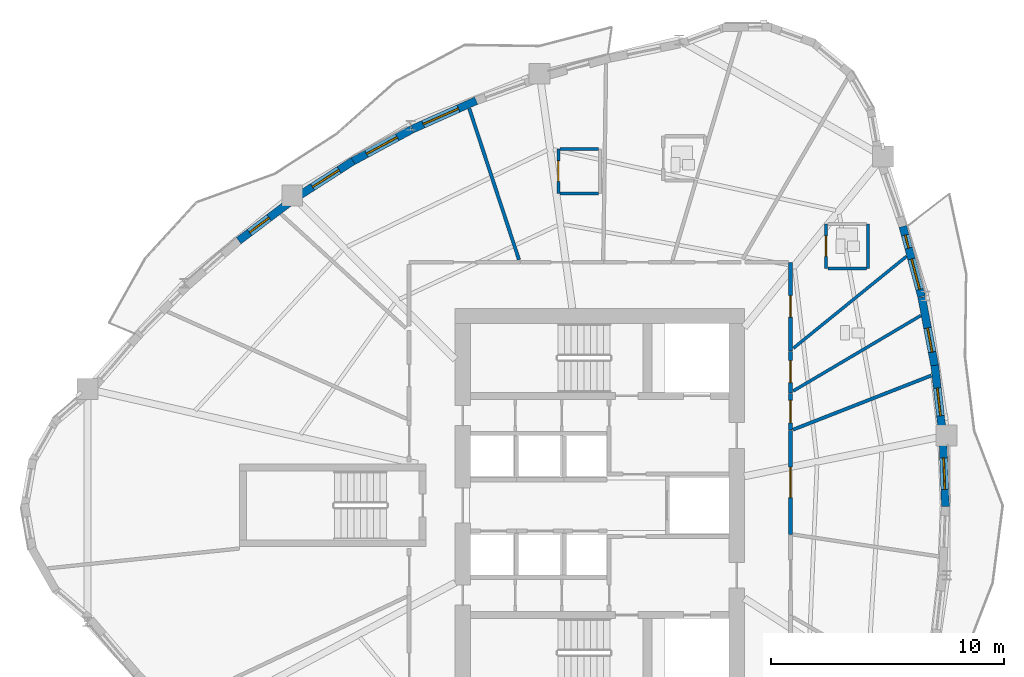
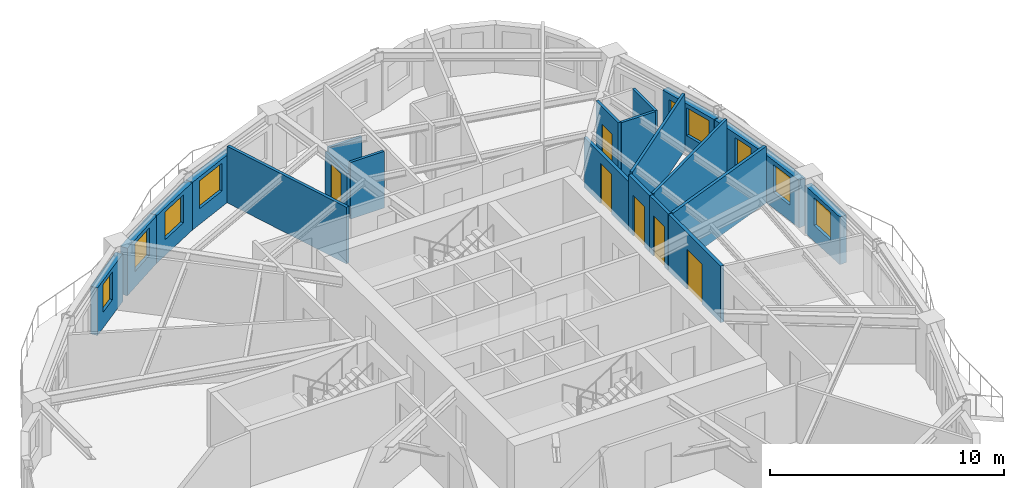
# One storey, part 7 of 12: 22 walls, 9 windows, 6 doors, 15 openings.
"""IFC4 building model written with IfcOpenShell, lengths in metres."""

from ifc_helpers import new_model, si_unit, direction, frame, frame_2d, origin, place, context, subcontext, project, spatial, rectangle, extrude, source, transform, mapped, material, layer, layer_set, type_object, element, fill, save


model = new_model("IFC4")

# Units and contexts
model_context = context("Model", 3, precision=1e-05, world=origin(), true_north=direction((0.0, 1.0)))
body_context = subcontext(model_context, "Body", "Model", "MODEL_VIEW")
ifc_project = project(units=[si_unit("LENGTHUNIT", "METRE"), si_unit("AREAUNIT", "SQUARE_METRE"), si_unit("VOLUMEUNIT", "CUBIC_METRE"), si_unit("PLANEANGLEUNIT", "RADIAN"), si_unit("MASSUNIT", "GRAM", prefix="KILO")], contexts=[model_context])

# Site, building, storey
site_placement = place(None, origin())
site = spatial("IfcSite", under=ifc_project, at=site_placement, CompositionType="ELEMENT")
building_placement = place(site_placement, origin())
building = spatial("IfcBuilding", under=site, at=building_placement, Name="Qafzar Sky-Pleat Residences", CompositionType="ELEMENT")
storey_placement = place(building_placement, frame((0.0, 0.0, 92.800048828125)))
storey = spatial("IfcBuildingStorey", under=building, at=storey_placement, Name="L27", CompositionType="ELEMENT", Elevation=92.800048828125)

# Wall, opening, door
ifc_material_1 = material(Name="Acoustic gypsum plasterboard partition", Category="gypsum")
ifc_layer_1 = layer(ifc_material_1, 0.159912109375)
ifc_layer_set_1 = layer_set([ifc_layer_1], Name="Acoustic gypsum plasterboard partition")
wall_type_1 = type_object("IfcWallType", Name="PART-COR-160", PredefinedType="PARTITIONING", material=ifc_layer_set_1)
wall_1_placement = place(storey_placement, frame((38.530029296875, 29.219970703125, 0.0), z_axis=(0.0, 0.0, 1.0), x_axis=(0.0, -1.0, 0.0)))
wall_1 = element("IfcWall", 1, at=wall_1_placement, inside=storey, type_object=wall_type_1, Name="L27 Partition Wall PART-L27-PW-006", PredefinedType="PARTITIONING", context=body_context, shape_type="SweptSolid", body=[
    extrude(rectangle(XDim=4.467041015625, YDim=0.159912109375, at=frame_2d((2.2333984375, 0.0))), origin(), (0.0, 0.0, 1.0), 2.949951171875),
])
opening_1_placement = place(wall_1_placement, frame((1.583984375, 0.0, 0.0)))
opening_1 = element("IfcOpeningElement", 2, at=opening_1_placement, cuts=wall_1, Name="Opening ID-05", PredefinedType="OPENING", context=body_context, shape_type="SweptSolid", body=[
    extrude(rectangle(XDim=1.300048828125, YDim=2.10009765625, at=frame_2d((0.64990234375, 1.050048828125))), frame((0.0, 0.08984375, 0.0), z_axis=(0.0, -1.0, 0.0), x_axis=(1.0, 0.0, 0.0)), (0.0, 0.0, 1.0), 0.179931640625),
])
ifc_material_2 = material(Name="Timber-faced fire door", Category="wood")
door_type_1 = type_object("IfcDoorType", Name="DR-LNG-1300", OperationType="DOUBLE_DOOR_SINGLE_SWING", PredefinedType="DOOR", material=ifc_material_2)
shared_shape_1 = source(origin(), body_context, "Body", "SweptSolid", [
    extrude(rectangle(XDim=1.300048828125, YDim=2.10009765625, at=frame_2d((0.64990234375, 1.050048828125))), frame((0.0, 0.02490234375, 0.0), z_axis=(0.0, -1.0, 0.0), x_axis=(1.0, 0.0, 0.0)), (0.0, 0.0, 1.0), 0.050048828125),
])
door_1_placement = place(opening_1_placement, origin())
door_1 = element("IfcDoor", 3, at=door_1_placement, inside=storey, type_object=door_type_1, Name="L27 Co-Living Lounge Door", OperationType="DOUBLE_DOOR_SINGLE_SWING", OverallHeight=2.10009765625, OverallWidth=1.300048828125, PredefinedType="DOOR", context=body_context, shape_type="MappedRepresentation", body=[
    mapped(shared_shape_1, transform((0.0, 0.0, 0.0), x_axis=(1.0, 0.0, 0.0), y_axis=(0.0, 1.0, 0.0), z_axis=(0.0, 0.0, 1.0), scale=1.0)),
])
fill(opening_1, door_1)

wall_2_placement = place(storey_placement, frame((38.530029296875, 36.429931640625, 0.0), z_axis=(0.0, 0.0, 1.0), x_axis=(0.0, -1.0, 0.0)))
wall_2 = element("IfcWall", 4, at=wall_2_placement, inside=storey, type_object=wall_type_1, Name="L27 Partition Wall PART-L27-PW-009", PredefinedType="PARTITIONING", context=body_context, shape_type="SweptSolid", body=[
    extrude(rectangle(XDim=3.809814453125, YDim=0.159912109375, at=frame_2d((1.90478515625, 0.0))), origin(), (0.0, 0.0, 1.0), 2.587890625),
])
opening_2_placement = place(wall_2_placement, frame((1.435546875, 0.0, 0.0)))
opening_2 = element("IfcOpeningElement", 5, at=opening_2_placement, cuts=wall_2, Name="Opening ID-04", PredefinedType="OPENING", context=body_context, shape_type="SweptSolid", body=[
    extrude(rectangle(XDim=0.919921875, YDim=2.10009765625, at=frame_2d((0.4599609375, 1.050048828125))), frame((0.0, 0.08984375, 0.0), z_axis=(0.0, -1.0, 0.0), x_axis=(1.0, 0.0, 0.0)), (0.0, 0.0, 1.0), 0.179931640625),
])
door_type_2 = type_object("IfcDoorType", Name="DR-BED-920", OperationType="NOTDEFINED", PredefinedType="DOOR", material=ifc_material_2)
shared_shape_2 = source(origin(), body_context, "Body", "SweptSolid", [
    extrude(rectangle(XDim=0.919921875, YDim=2.10009765625, at=frame_2d((0.4599609375, 1.050048828125))), frame((0.0, 0.02490234375, 0.0), z_axis=(0.0, -1.0, 0.0), x_axis=(1.0, 0.0, 0.0)), (0.0, 0.0, 1.0), 0.050048828125),
])
door_2_placement = place(opening_2_placement, origin())
door_2 = element("IfcDoor", 6, at=door_2_placement, inside=storey, type_object=door_type_2, Name="L27 Co-Living Bedroom 2 Door", OperationType="SINGLE_SWING_LEFT", OverallHeight=2.10009765625, OverallWidth=0.919921875, PredefinedType="DOOR", context=body_context, shape_type="MappedRepresentation", body=[
    mapped(shared_shape_2, transform((0.0, 0.0, 0.0), x_axis=(1.0, 0.0, 0.0), y_axis=(0.0, 1.0, 0.0), z_axis=(0.0, 0.0, 1.0), scale=1.0)),
])
fill(opening_2, door_2)

wall_3_placement = place(storey_placement, frame((38.530029296875, 32.60498046875, 0.0), z_axis=(0.0, 0.0, 1.0), x_axis=(0.0, -1.0, 0.0)))
wall_3 = element("IfcWall", 7, at=wall_3_placement, inside=storey, type_object=wall_type_1, Name="L27 Partition Wall PART-L27-PW-020", PredefinedType="PARTITIONING", context=body_context, shape_type="SweptSolid", body=[
    extrude(rectangle(XDim=1.785888671875, YDim=0.159912109375, at=frame_2d((0.89306640625, 0.0))), origin(), (0.0, 0.0, 1.0), 2.949951171875),
])
opening_3_placement = place(wall_3_placement, frame((0.392578125, 0.0, 0.0)))
opening_3 = element("IfcOpeningElement", 8, at=opening_3_placement, cuts=wall_3, Name="Opening ID-08", PredefinedType="OPENING", context=body_context, shape_type="SweptSolid", body=[
    extrude(rectangle(XDim=0.949951171875, YDim=2.10009765625, at=frame_2d((0.47509765625, 1.050048828125))), frame((0.0, 0.08984375, 0.0), z_axis=(0.0, -1.0, 0.0), x_axis=(1.0, 0.0, 0.0)), (0.0, 0.0, 1.0), 0.179931640625),
])
door_type_3 = type_object("IfcDoorType", Name="DR-AWC-950", OperationType="NOTDEFINED", PredefinedType="DOOR", material=ifc_material_2)
shared_shape_3 = source(origin(), body_context, "Body", "SweptSolid", [
    extrude(rectangle(XDim=0.949951171875, YDim=2.10009765625, at=frame_2d((0.47509765625, 1.050048828125))), frame((0.0, 0.02490234375, 0.0), z_axis=(0.0, -1.0, 0.0), x_axis=(1.0, 0.0, 0.0)), (0.0, 0.0, 1.0), 0.050048828125),
])
door_3_placement = place(opening_3_placement, origin())
door_3 = element("IfcDoor", 9, at=door_3_placement, inside=storey, type_object=door_type_3, Name="L27 Accessible Shared Washroom Door", OperationType="SINGLE_SWING_LEFT", OverallHeight=2.10009765625, OverallWidth=0.949951171875, PredefinedType="DOOR", context=body_context, shape_type="MappedRepresentation", body=[
    mapped(shared_shape_3, transform((0.0, 0.0, 0.0), x_axis=(1.0, 0.0, 0.0), y_axis=(0.0, 1.0, 0.0), z_axis=(0.0, 0.0, 1.0), scale=1.0)),
])
fill(opening_3, door_3)

wall_4_placement = place(storey_placement, frame((38.530029296875, 30.803955078125, 0.0), z_axis=(0.0, 0.0, 1.0), x_axis=(0.0, -1.0, 0.0)))
wall_4 = element("IfcWall", 10, at=wall_4_placement, inside=storey, type_object=wall_type_1, Name="L27 Partition Wall PART-L27-PW-021", PredefinedType="PARTITIONING", context=body_context, shape_type="SweptSolid", body=[
    extrude(rectangle(XDim=1.56884765625, YDim=0.159912109375, at=frame_2d((0.784423828125, 0.0))), origin(), (0.0, 0.0, 1.0), 2.949951171875),
])
opening_4_placement = place(wall_4_placement, frame((0.303955078125, 0.0, 0.0)))
opening_4 = element("IfcOpeningElement", 11, at=opening_4_placement, cuts=wall_4, Name="Opening ID-06", PredefinedType="OPENING", context=body_context, shape_type="SweptSolid", body=[
    extrude(rectangle(XDim=0.9599609375, YDim=2.10009765625, at=frame_2d((0.47998046875, 1.050048828125))), frame((0.0, 0.08984375, 0.0), z_axis=(0.0, -1.0, 0.0), x_axis=(1.0, 0.0, 0.0)), (0.0, 0.0, 1.0), 0.179931640625),
])
door_type_4 = type_object("IfcDoorType", Name="DR-STD-960", OperationType="NOTDEFINED", PredefinedType="DOOR", material=ifc_material_2)
shared_shape_4 = source(origin(), body_context, "Body", "SweptSolid", [
    extrude(rectangle(XDim=0.9599609375, YDim=2.10009765625, at=frame_2d((0.47998046875, 1.050048828125))), frame((0.0, 0.02490234375, 0.0), z_axis=(0.0, -1.0, 0.0), x_axis=(1.0, 0.0, 0.0)), (0.0, 0.0, 1.0), 0.050048828125),
])
door_4_placement = place(opening_4_placement, origin())
door_4 = element("IfcDoor", 12, at=door_4_placement, inside=storey, type_object=door_type_4, Name="L27 Scholar Study Room Door", OperationType="SINGLE_SWING_RIGHT", OverallHeight=2.10009765625, OverallWidth=0.9599609375, PredefinedType="DOOR", context=body_context, shape_type="MappedRepresentation", body=[
    mapped(shared_shape_4, transform((0.0, 0.0, 0.0), x_axis=(1.0, 0.0, 0.0), y_axis=(0.0, 1.0, 0.0), z_axis=(0.0, 0.0, 1.0), scale=1.0)),
])
fill(opening_4, door_4)

# Walls
ifc_layer_2 = layer(ifc_material_1, 0.14501953125)
ifc_layer_set_2 = layer_set([ifc_layer_2], Name="Acoustic gypsum plasterboard partition")
wall_type_2 = type_object("IfcWallType", Name="PART-UNIT-145", PredefinedType="PARTITIONING", material=ifc_layer_set_2)
wall_5_placement = place(storey_placement, frame((24.751953125, 43.027099609375, 0.0), z_axis=(0.0, 0.0, 1.0), x_axis=(0.312342290808, -0.949969627606, 0.0)))
element("IfcWall", 13, at=wall_5_placement, inside=storey, type_object=wall_type_2, Name="L27 Partition Wall PART-L27-PW-031", PredefinedType="PARTITIONING", context=body_context, shape_type="SweptSolid", body=[
    extrude(rectangle(XDim=6.828369140625, YDim=0.14501953125, at=frame_2d((3.4140625, 0.0))), origin(), (0.0, 0.0, 1.0), 2.949951171875),
])
wall_6_placement = place(storey_placement, frame((38.643798828125, 29.24853515625, 0.0), z_axis=(0.0, 0.0, 1.0), x_axis=(0.931159602012, 0.364611842349, 0.0)))
element("IfcWall", 14, at=wall_6_placement, inside=storey, type_object=wall_type_2, Name="L27 Partition Wall PART-L27-PW-032", PredefinedType="PARTITIONING", context=body_context, shape_type="SweptSolid", body=[
    extrude(rectangle(XDim=6.367919921875, YDim=0.14501953125, at=frame_2d((3.18408203125, 0.0))), origin(), (0.0, 0.0, 1.0), 2.949951171875),
])

# Wall, opening, door
ifc_material_3 = material(Name="Moisture-resistant gypsum partition", Category="gypsum")
ifc_layer_3 = layer(ifc_material_3, 0.1298828125)
ifc_layer_set_3 = layer_set([ifc_layer_3], Name="Moisture-resistant gypsum partition")
wall_type_3 = type_object("IfcWallType", Name="PART-WET-130", PredefinedType="PARTITIONING", material=ifc_layer_set_3)
wall_7_placement = place(storey_placement, frame((40.05810546875, 38.06689453125, 0.0), z_axis=(0.0, 0.0, 1.0), x_axis=(0.0, -1.0, 0.0)))
wall_7 = element("IfcWall", 15, at=wall_7_placement, inside=storey, type_object=wall_type_3, Name="L27 Partition Wall PART-L27-PW-016", PredefinedType="PARTITIONING", context=body_context, shape_type="SweptSolid", body=[
    extrude(rectangle(XDim=1.89990234375, YDim=0.1298828125, at=frame_2d((0.949951171875, 0.0))), origin(), (0.0, 0.0, 1.0), 2.949951171875),
])
opening_5_placement = place(wall_7_placement, frame((0.510009765625, 0.0, 0.0)))
opening_5 = element("IfcOpeningElement", 16, at=opening_5_placement, cuts=wall_7, Name="Opening ID-07", PredefinedType="OPENING", context=body_context, shape_type="SweptSolid", body=[
    extrude(rectangle(XDim=0.8798828125, YDim=2.050048828125, at=frame_2d((0.43994140625, 1.02490234375))), frame((0.0, 0.074951171875, 0.0), z_axis=(0.0, -1.0, 0.0), x_axis=(1.0, 0.0, 0.0)), (0.0, 0.0, 1.0), 0.14990234375),
])
door_type_5 = type_object("IfcDoorType", Name="DR-WET-880", OperationType="NOTDEFINED", PredefinedType="DOOR", material=ifc_material_2)
shared_shape_5 = source(origin(), body_context, "Body", "SweptSolid", [
    extrude(rectangle(XDim=0.8798828125, YDim=2.050048828125, at=frame_2d((0.43994140625, 1.02490234375))), frame((0.0, 0.02490234375, 0.0), z_axis=(0.0, -1.0, 0.0), x_axis=(1.0, 0.0, 0.0)), (0.0, 0.0, 1.0), 0.050048828125),
])
door_5_placement = place(opening_5_placement, origin())
door_5 = element("IfcDoor", 17, at=door_5_placement, inside=storey, type_object=door_type_5, Name="L27 En-suite Bathroom 2 Door", OperationType="SINGLE_SWING_RIGHT", OverallHeight=2.050048828125, OverallWidth=0.8798828125, PredefinedType="DOOR", context=body_context, shape_type="MappedRepresentation", body=[
    mapped(shared_shape_5, transform((0.0, 0.0, 0.0), x_axis=(1.0, 0.0, 0.0), y_axis=(0.0, 1.0, 0.0), z_axis=(0.0, 0.0, 1.0), scale=1.0)),
])
fill(opening_5, door_5)

wall_8_placement = place(storey_placement, frame((28.570068359375, 41.285888671875, 0.0), z_axis=(0.0, 0.0, 1.0), x_axis=(0.0, -1.0, 0.0)))
wall_8 = element("IfcWall", 18, at=wall_8_placement, inside=storey, type_object=wall_type_3, Name="L27 Partition Wall PART-L27-PW-018", PredefinedType="PARTITIONING", context=body_context, shape_type="SweptSolid", body=[
    extrude(rectangle(XDim=1.89990234375, YDim=0.1298828125, at=frame_2d((0.949951171875, 0.0))), origin(), (0.0, 0.0, 1.0), 2.367919921875),
])
opening_6_placement = place(wall_8_placement, frame((0.510009765625, 0.0, 0.0)))
opening_6 = element("IfcOpeningElement", 19, at=opening_6_placement, cuts=wall_8, Name="Opening ID-07", PredefinedType="OPENING", context=body_context, shape_type="SweptSolid", body=[
    extrude(rectangle(XDim=0.8798828125, YDim=2.050048828125, at=frame_2d((0.43994140625, 1.02490234375))), frame((0.0, 0.074951171875, 0.0), z_axis=(0.0, -1.0, 0.0), x_axis=(1.0, 0.0, 0.0)), (0.0, 0.0, 1.0), 0.14990234375),
])
door_6_placement = place(opening_6_placement, origin())
door_6 = element("IfcDoor", 20, at=door_6_placement, inside=storey, type_object=door_type_5, Name="L27 En-suite Bathroom 4 Door", OperationType="SINGLE_SWING_RIGHT", OverallHeight=2.050048828125, OverallWidth=0.8798828125, PredefinedType="DOOR", context=body_context, shape_type="MappedRepresentation", body=[
    mapped(shared_shape_5, transform((0.0, 0.0, 0.0), x_axis=(1.0, 0.0, 0.0), y_axis=(0.0, 1.0, 0.0), z_axis=(0.0, 0.0, 1.0), scale=1.0)),
])
fill(opening_6, door_6)

# Walls
wall_9_placement = place(storey_placement, frame((38.64990234375, 30.906982421875, 0.0), z_axis=(0.0, 0.0, 1.0), x_axis=(0.860799697267, 0.508943888052, 0.0)))
element("IfcWall", 21, at=wall_9_placement, inside=storey, type_object=wall_type_3, Name="L27 Partition Wall PART-L27-PW-033", PredefinedType="PARTITIONING", context=body_context, shape_type="SweptSolid", body=[
    extrude(rectangle(XDim=6.36279296875, YDim=0.1298828125, at=frame_2d((3.181396484375, 0.0))), origin(), (0.0, 0.0, 1.0), 2.949951171875),
])
wall_10_placement = place(storey_placement, frame((38.6572265625, 32.7421875, 0.0), z_axis=(0.0, 0.0, 1.0), x_axis=(0.776413778101, 0.630223488276, 0.0)))
element("IfcWall", 22, at=wall_10_placement, inside=storey, type_object=wall_type_3, Name="L27 Partition Wall PART-L27-PW-036", PredefinedType="PARTITIONING", context=body_context, shape_type="SweptSolid", body=[
    extrude(rectangle(XDim=6.2509765625, YDim=0.1298828125, at=frame_2d((3.12548828125, 0.0))), origin(), (0.0, 0.0, 1.0), 2.949951171875),
])
wall_11_placement = place(storey_placement, frame((41.85791015625, 36.1669921875, 0.0), z_axis=(0.0, 0.0, 1.0), x_axis=(0.0, 1.0, 0.0)))
element("IfcWall", 23, at=wall_11_placement, inside=storey, type_object=wall_type_3, Name="L27 Partition Wall PART-L27-PW-043", PredefinedType="PARTITIONING", context=body_context, shape_type="SweptSolid", body=[
    extrude(rectangle(XDim=1.89990234375, YDim=0.1298828125, at=frame_2d((0.949951171875, 0.0))), origin(), (0.0, 0.0, 1.0), 2.949951171875),
])
wall_12_placement = place(storey_placement, frame((28.64306640625, 41.285888671875, 0.0), z_axis=(0.0, 0.0, 1.0), x_axis=(1.0, 0.0, 0.0)))
element("IfcWall", 24, at=wall_12_placement, inside=storey, type_object=wall_type_3, Name="L27 Partition Wall PART-L27-PW-048", PredefinedType="PARTITIONING", context=body_context, shape_type="SweptSolid", body=[
    extrude(rectangle(XDim=1.654052734375, YDim=0.1298828125, at=frame_2d((0.8271484375, 0.0))), origin(), (0.0, 0.0, 1.0), 2.557861328125),
])
wall_13_placement = place(storey_placement, frame((28.64306640625, 39.385986328125, 0.0), z_axis=(0.0, 0.0, 1.0), x_axis=(1.0, 0.0, 0.0)))
element("IfcWall", 25, at=wall_13_placement, inside=storey, type_object=wall_type_3, Name="L27 Partition Wall PART-L27-PW-049", PredefinedType="PARTITIONING", context=body_context, shape_type="SweptSolid", body=[
    extrude(rectangle(XDim=1.654052734375, YDim=0.1298828125, at=frame_2d((0.8271484375, 0.0))), origin(), (0.0, 0.0, 1.0), 2.949951171875),
])
wall_14_placement = place(storey_placement, frame((40.131103515625, 36.1669921875, 0.0), z_axis=(0.0, 0.0, 1.0), x_axis=(1.0, 0.0, 0.0)))
element("IfcWall", 26, at=wall_14_placement, inside=storey, type_object=wall_type_3, Name="L27 Partition Wall PART-L27-PW-051", PredefinedType="PARTITIONING", context=body_context, shape_type="SweptSolid", body=[
    extrude(rectangle(XDim=1.65380859375, YDim=0.1298828125, at=frame_2d((0.826904296875, 0.0))), origin(), (0.0, 0.0, 1.0), 2.949951171875),
])

# Wall, opening, window
ifc_material_4 = material(Name="Precast concrete C40/50 with honed Riyadh limestone", Category="concrete")
ifc_layer_4 = layer(ifc_material_4, 0.340087890625)
ifc_layer_set_4 = layer_set([ifc_layer_4], Name="Precast concrete C40/50 with honed Riyadh limestone")
wall_type_4 = type_object("IfcWallType", Name="WALL-EXT-340", PredefinedType="SOLIDWALL", material=ifc_layer_set_4)
wall_15_placement = place(storey_placement, frame((45.18115234375, 25.95556640625, 0.0), z_axis=(0.0, 0.0, 1.0), x_axis=(-0.037958336355, 0.999279322663, 0.0)))
wall_15 = element("IfcWall", 27, at=wall_15_placement, inside=storey, type_object=wall_type_4, Name="L27 Limestone Facade Wall 28", PredefinedType="SOLIDWALL", context=body_context, shape_type="SweptSolid", body=[
    extrude(rectangle(XDim=2.80419921875, YDim=0.340087890625, at=frame_2d((1.402099609375, 0.0))), origin(), (0.0, 0.0, 1.0), 2.47998046875),
])
opening_7_placement = place(wall_15_placement, frame((0.732177734375, 0.0, 0.820068359375)))
opening_7 = element("IfcOpeningElement", 28, at=opening_7_placement, cuts=wall_15, Name="Opening WN-04", PredefinedType="OPENING", context=body_context, shape_type="SweptSolid", body=[
    extrude(rectangle(XDim=1.35009765625, YDim=1.449951171875, at=frame_2d((0.675048828125, 0.72509765625))), frame((0.0, 0.18017578125, 0.0), z_axis=(0.0, -1.0, 0.0), x_axis=(1.0, 0.0, 0.0)), (0.0, 0.0, 1.0), 0.360107421875),
])
ifc_material_5 = material(Name="Solar-control low-E glass in bronze aluminium frame", Category="glass")
window_type_1 = type_object("IfcWindowType", Name="WIN-04", PartitioningType="SINGLE_PANEL", PredefinedType="WINDOW", material=ifc_material_5)
shared_shape_6 = source(origin(), body_context, "Body", "SweptSolid", [
    extrude(rectangle(XDim=1.35009765625, YDim=1.449951171875, at=frame_2d((0.675048828125, 0.72509765625))), frame((0.0, 0.030029296875, 0.0), z_axis=(0.0, -1.0, 0.0), x_axis=(1.0, 0.0, 0.0)), (0.0, 0.0, 1.0), 0.06005859375),
])
window_1_placement = place(opening_7_placement, origin())
window_1 = element("IfcWindow", 29, at=window_1_placement, inside=storey, type_object=window_type_1, Name="L27 Punched Facade Window 28", OverallHeight=1.449951171875, OverallWidth=1.35009765625, PartitioningType="SINGLE_PANEL", PredefinedType="WINDOW", context=body_context, shape_type="MappedRepresentation", body=[
    mapped(shared_shape_6, transform((0.0, 0.0, 0.0), x_axis=(1.0, 0.0, 0.0), y_axis=(0.0, 1.0, 0.0), z_axis=(0.0, 0.0, 1.0), scale=1.0)),
])
fill(opening_7, window_1)

wall_16_placement = place(storey_placement, frame((45.040771484375, 29.20361328125, 0.0), z_axis=(0.0, 0.0, 1.0), x_axis=(-0.113261075266, 0.993565261485, 0.0)))
wall_16 = element("IfcWall", 30, at=wall_16_placement, inside=storey, type_object=wall_type_4, Name="L27 Limestone Facade Wall 29", PredefinedType="SOLIDWALL", context=body_context, shape_type="SweptSolid", body=[
    extrude(rectangle(XDim=2.821533203125, YDim=0.340087890625, at=frame_2d((1.41064453125, 0.0))), origin(), (0.0, 0.0, 1.0), 2.47998046875),
])
opening_8_placement = place(wall_16_placement, frame((0.64208984375, 0.0, 0.820068359375)))
opening_8 = element("IfcOpeningElement", 31, at=opening_8_placement, cuts=wall_16, Name="Opening WN-05", PredefinedType="OPENING", context=body_context, shape_type="SweptSolid", body=[
    extrude(rectangle(XDim=1.199951171875, YDim=1.449951171875, at=frame_2d((0.60009765625, 0.72509765625))), frame((0.0, 0.18017578125, 0.0), z_axis=(0.0, -1.0, 0.0), x_axis=(1.0, 0.0, 0.0)), (0.0, 0.0, 1.0), 0.360107421875),
])
window_type_2 = type_object("IfcWindowType", Name="WIN-05", PartitioningType="SINGLE_PANEL", PredefinedType="WINDOW", material=ifc_material_5)
shared_shape_7 = source(origin(), body_context, "Body", "SweptSolid", [
    extrude(rectangle(XDim=1.199951171875, YDim=1.449951171875, at=frame_2d((0.60009765625, 0.72509765625))), frame((0.0, 0.030029296875, 0.0), z_axis=(0.0, -1.0, 0.0), x_axis=(1.0, 0.0, 0.0)), (0.0, 0.0, 1.0), 0.06005859375),
])
window_2_placement = place(opening_8_placement, origin())
window_2 = element("IfcWindow", 32, at=window_2_placement, inside=storey, type_object=window_type_2, Name="L27 Punched Facade Window 29", OverallHeight=1.449951171875, OverallWidth=1.199951171875, PartitioningType="SINGLE_PANEL", PredefinedType="WINDOW", context=body_context, shape_type="MappedRepresentation", body=[
    mapped(shared_shape_7, transform((0.0, 0.0, 0.0), x_axis=(1.0, 0.0, 0.0), y_axis=(0.0, 1.0, 0.0), z_axis=(0.0, 0.0, 1.0), scale=1.0)),
])
fill(opening_8, window_2)

wall_17_placement = place(storey_placement, frame((44.734619140625, 31.91943359375, 0.0), z_axis=(0.0, 0.0, 1.0), x_axis=(-0.186735196273, 0.982410284185, 0.0)))
wall_17 = element("IfcWall", 33, at=wall_17_placement, inside=storey, type_object=wall_type_4, Name="L27 Limestone Facade Wall 30", PredefinedType="SOLIDWALL", context=body_context, shape_type="SweptSolid", body=[
    extrude(rectangle(XDim=3.06591796875, YDim=0.340087890625, at=frame_2d((1.532958984375, 0.0))), origin(), (0.0, 0.0, 1.0), 2.47998046875),
])
opening_9_placement = place(wall_17_placement, frame((0.668701171875, 0.0, 0.820068359375)))
opening_9 = element("IfcOpeningElement", 34, at=opening_9_placement, cuts=wall_17, Name="Opening WN-06", PredefinedType="OPENING", context=body_context, shape_type="SweptSolid", body=[
    extrude(rectangle(XDim=1.050048828125, YDim=1.449951171875, at=frame_2d((0.52490234375, 0.72509765625))), frame((0.0, 0.18017578125, 0.0), z_axis=(0.0, -1.0, 0.0), x_axis=(1.0, 0.0, 0.0)), (0.0, 0.0, 1.0), 0.360107421875),
])
window_type_3 = type_object("IfcWindowType", Name="WIN-06", PartitioningType="SINGLE_PANEL", PredefinedType="WINDOW", material=ifc_material_5)
shared_shape_8 = source(origin(), body_context, "Body", "SweptSolid", [
    extrude(rectangle(XDim=1.050048828125, YDim=1.449951171875, at=frame_2d((0.52490234375, 0.72509765625))), frame((0.0, 0.030029296875, 0.0), z_axis=(0.0, -1.0, 0.0), x_axis=(1.0, 0.0, 0.0)), (0.0, 0.0, 1.0), 0.06005859375),
])
window_3_placement = place(opening_9_placement, origin())
window_3 = element("IfcWindow", 35, at=window_3_placement, inside=storey, type_object=window_type_3, Name="L27 Punched Facade Window 30", OverallHeight=1.449951171875, OverallWidth=1.050048828125, PartitioningType="SINGLE_PANEL", PredefinedType="WINDOW", context=body_context, shape_type="MappedRepresentation", body=[
    mapped(shared_shape_8, transform((0.0, 0.0, 0.0), x_axis=(1.0, 0.0, 0.0), y_axis=(0.0, 1.0, 0.0), z_axis=(0.0, 0.0, 1.0), scale=1.0)),
])
fill(opening_9, window_3)

# Wall, openings, windows
wall_18_placement = place(storey_placement, frame((44.156005859375, 34.958251953125, 0.0), z_axis=(0.0, 0.0, 1.0), x_axis=(-0.257033600382, 0.966402467026, 0.0)))
wall_18 = element("IfcWall", 36, at=wall_18_placement, inside=storey, type_object=wall_type_4, Name="L27 Limestone Facade Wall 31", PredefinedType="SOLIDWALL", context=body_context, shape_type="SweptSolid", body=[
    extrude(rectangle(XDim=3.116455078125, YDim=0.340087890625, at=frame_2d((1.55810546875, 0.0))), origin(), (0.0, 0.0, 1.0), 2.47998046875),
])
opening_10_placement = place(wall_18_placement, frame((0.315185546875, 0.0, 0.820068359375)))
opening_10 = element("IfcOpeningElement", 37, at=opening_10_placement, cuts=wall_18, Name="Opening WN-04", PredefinedType="OPENING", context=body_context, shape_type="SweptSolid", body=[
    extrude(rectangle(XDim=1.35009765625, YDim=1.449951171875, at=frame_2d((0.675048828125, 0.72509765625))), frame((0.0, 0.18017578125, 0.0), z_axis=(0.0, -1.0, 0.0), x_axis=(1.0, 0.0, 0.0)), (0.0, 0.0, 1.0), 0.360107421875),
])
opening_11_placement = place(wall_18_placement, frame((2.1484375, 0.0, 0.820068359375)))
opening_11 = element("IfcOpeningElement", 38, at=opening_11_placement, cuts=wall_18, Name="Opening WN-17", PredefinedType="OPENING", context=body_context, shape_type="SweptSolid", body=[
    extrude(rectangle(XDim=0.580078125, YDim=1.35009765625, at=frame_2d((0.2900390625, 0.675048828125))), frame((0.0, 0.18017578125, 0.0), z_axis=(0.0, -1.0, 0.0), x_axis=(1.0, 0.0, 0.0)), (0.0, 0.0, 1.0), 0.360107421875),
])
window_type_4 = type_object("IfcWindowType", Name="WIN-17", PartitioningType="SINGLE_PANEL", PredefinedType="WINDOW", material=ifc_material_5)
shared_shape_9 = source(origin(), body_context, "Body", "SweptSolid", [
    extrude(rectangle(XDim=0.580078125, YDim=1.35009765625, at=frame_2d((0.2900390625, 0.675048828125))), frame((0.0, 0.030029296875, 0.0), z_axis=(0.0, -1.0, 0.0), x_axis=(1.0, 0.0, 0.0)), (0.0, 0.0, 1.0), 0.06005859375),
])
window_4_placement = place(opening_11_placement, origin())
window_4 = element("IfcWindow", 39, at=window_4_placement, inside=storey, type_object=window_type_4, Name="L27 Punched Facade Window 31-2", OverallHeight=1.35009765625, OverallWidth=0.580078125, PartitioningType="SINGLE_PANEL", PredefinedType="WINDOW", context=body_context, shape_type="MappedRepresentation", body=[
    mapped(shared_shape_9, transform((0.0, 0.0, 0.0), x_axis=(1.0, 0.0, 0.0), y_axis=(0.0, 1.0, 0.0), z_axis=(0.0, 0.0, 1.0), scale=1.0)),
])
fill(opening_11, window_4)
window_5_placement = place(opening_10_placement, origin())
window_5 = element("IfcWindow", 40, at=window_5_placement, inside=storey, type_object=window_type_1, Name="L27 Punched Facade Window 31", OverallHeight=1.449951171875, OverallWidth=1.35009765625, PartitioningType="SINGLE_PANEL", PredefinedType="WINDOW", context=body_context, shape_type="MappedRepresentation", body=[
    mapped(shared_shape_6, transform((0.0, 0.0, 0.0), x_axis=(1.0, 0.0, 0.0), y_axis=(0.0, 1.0, 0.0), z_axis=(0.0, 0.0, 1.0), scale=1.0)),
])
fill(opening_10, window_5)

# Wall, opening, window
wall_19_placement = place(storey_placement, frame((25.05029296875, 43.36279296875, 0.0), z_axis=(0.0, 0.0, 1.0), x_axis=(-0.913433400489, -0.406988234315, 0.0)))
wall_19 = element("IfcWall", 41, at=wall_19_placement, inside=storey, type_object=wall_type_4, Name="L27 Limestone Facade Wall 42", PredefinedType="SOLIDWALL", context=body_context, shape_type="SweptSolid", body=[
    extrude(rectangle(XDim=2.98486328125, YDim=0.340087890625, at=frame_2d((1.492431640625, 0.0))), origin(), (0.0, 0.0, 1.0), 2.47998046875),
])
opening_12_placement = place(wall_19_placement, frame((0.8408203125, 0.0, 0.820068359375)))
opening_12 = element("IfcOpeningElement", 42, at=opening_12_placement, cuts=wall_19, Name="Opening WN-02", PredefinedType="OPENING", context=body_context, shape_type="SweptSolid", body=[
    extrude(rectangle(XDim=1.64990234375, YDim=1.449951171875, at=frame_2d((0.824951171875, 0.72509765625))), frame((0.0, 0.18017578125, 0.0), z_axis=(0.0, -1.0, 0.0), x_axis=(1.0, 0.0, 0.0)), (0.0, 0.0, 1.0), 0.360107421875),
])
window_type_5 = type_object("IfcWindowType", Name="WIN-02", PartitioningType="DOUBLE_PANEL_VERTICAL", PredefinedType="WINDOW", material=ifc_material_5)
shared_shape_10 = source(origin(), body_context, "Body", "SweptSolid", [
    extrude(rectangle(XDim=1.64990234375, YDim=1.449951171875, at=frame_2d((0.824951171875, 0.72509765625))), frame((0.0, 0.030029296875, 0.0), z_axis=(0.0, -1.0, 0.0), x_axis=(1.0, 0.0, 0.0)), (0.0, 0.0, 1.0), 0.06005859375),
])
window_6_placement = place(opening_12_placement, origin())
window_6 = element("IfcWindow", 43, at=window_6_placement, inside=storey, type_object=window_type_5, Name="L27 Punched Facade Window 42", OverallHeight=1.449951171875, OverallWidth=1.64990234375, PartitioningType="SINGLE_PANEL", PredefinedType="WINDOW", context=body_context, shape_type="MappedRepresentation", body=[
    mapped(shared_shape_10, transform((0.0, 0.0, 0.0), x_axis=(1.0, 0.0, 0.0), y_axis=(0.0, 1.0, 0.0), z_axis=(0.0, 0.0, 1.0), scale=1.0)),
])
fill(opening_12, window_6)

wall_20_placement = place(storey_placement, frame((22.29931640625, 42.135986328125, 0.0), z_axis=(0.0, 0.0, 1.0), x_axis=(-0.880093106551, -0.474801141323, 0.0)))
wall_20 = element("IfcWall", 44, at=wall_20_placement, inside=storey, type_object=wall_type_4, Name="L27 Limestone Facade Wall 43", PredefinedType="SOLIDWALL", context=body_context, shape_type="SweptSolid", body=[
    extrude(rectangle(XDim=2.968017578125, YDim=0.340087890625, at=frame_2d((1.48388671875, 0.0))), origin(), (0.0, 0.0, 1.0), 2.47998046875),
])
opening_13_placement = place(wall_20_placement, frame((0.72412109375, 0.0, 0.820068359375)))
opening_13 = element("IfcOpeningElement", 45, at=opening_13_placement, cuts=wall_20, Name="Opening WN-03", PredefinedType="OPENING", context=body_context, shape_type="SweptSolid", body=[
    extrude(rectangle(XDim=1.5, YDim=1.449951171875, at=frame_2d((0.75, 0.72509765625))), frame((0.0, 0.18017578125, 0.0), z_axis=(0.0, -1.0, 0.0), x_axis=(1.0, 0.0, 0.0)), (0.0, 0.0, 1.0), 0.360107421875),
])
window_type_6 = type_object("IfcWindowType", Name="WIN-03", PartitioningType="DOUBLE_PANEL_VERTICAL", PredefinedType="WINDOW", material=ifc_material_5)
shared_shape_11 = source(origin(), body_context, "Body", "SweptSolid", [
    extrude(rectangle(XDim=1.5, YDim=1.449951171875, at=frame_2d((0.75, 0.72509765625))), frame((0.0, 0.030029296875, 0.0), z_axis=(0.0, -1.0, 0.0), x_axis=(1.0, 0.0, 0.0)), (0.0, 0.0, 1.0), 0.06005859375),
])
window_7_placement = place(opening_13_placement, origin())
window_7 = element("IfcWindow", 46, at=window_7_placement, inside=storey, type_object=window_type_6, Name="L27 Punched Facade Window 43", OverallHeight=1.449951171875, OverallWidth=1.5, PartitioningType="SINGLE_PANEL", PredefinedType="WINDOW", context=body_context, shape_type="MappedRepresentation", body=[
    mapped(shared_shape_11, transform((0.0, 0.0, 0.0), x_axis=(1.0, 0.0, 0.0), y_axis=(0.0, 1.0, 0.0), z_axis=(0.0, 0.0, 1.0), scale=1.0)),
])
fill(opening_13, window_7)

wall_21_placement = place(storey_placement, frame((19.763671875, 40.77197265625, 0.0), z_axis=(0.0, 0.0, 1.0), x_axis=(-0.841500460675, -0.54025639717, 0.0)))
wall_21 = element("IfcWall", 47, at=wall_21_placement, inside=storey, type_object=wall_type_4, Name="L27 Limestone Facade Wall 44", PredefinedType="SOLIDWALL", context=body_context, shape_type="SweptSolid", body=[
    extrude(rectangle(XDim=2.7578125, YDim=0.340087890625, at=frame_2d((1.37890625, 0.0))), origin(), (0.0, 0.0, 1.0), 2.47998046875),
])
opening_14_placement = place(wall_21_placement, frame((0.708984375, 0.0, 0.820068359375)))
opening_14 = element("IfcOpeningElement", 48, at=opening_14_placement, cuts=wall_21, Name="Opening WN-04", PredefinedType="OPENING", context=body_context, shape_type="SweptSolid", body=[
    extrude(rectangle(XDim=1.35009765625, YDim=1.449951171875, at=frame_2d((0.675048828125, 0.72509765625))), frame((0.0, 0.18017578125, 0.0), z_axis=(0.0, -1.0, 0.0), x_axis=(1.0, 0.0, 0.0)), (0.0, 0.0, 1.0), 0.360107421875),
])
window_8_placement = place(opening_14_placement, origin())
window_8 = element("IfcWindow", 49, at=window_8_placement, inside=storey, type_object=window_type_1, Name="L27 Punched Facade Window 44", OverallHeight=1.449951171875, OverallWidth=1.35009765625, PartitioningType="SINGLE_PANEL", PredefinedType="WINDOW", context=body_context, shape_type="MappedRepresentation", body=[
    mapped(shared_shape_6, transform((0.0, 0.0, 0.0), x_axis=(1.0, 0.0, 0.0), y_axis=(0.0, 1.0, 0.0), z_axis=(0.0, 0.0, 1.0), scale=1.0)),
])
fill(opening_14, window_8)

wall_22_placement = place(storey_placement, frame((17.076171875, 39.026611328125, 0.0), z_axis=(0.0, 0.0, 1.0), x_axis=(-0.798403009583, -0.602123437751, 0.0)))
wall_22 = element("IfcWall", 50, at=wall_22_placement, inside=storey, type_object=wall_type_4, Name="L27 Limestone Facade Wall 45", PredefinedType="SOLIDWALL", context=body_context, shape_type="SweptSolid", body=[
    extrude(rectangle(XDim=2.77490234375, YDim=0.340087890625, at=frame_2d((1.387451171875, 0.0))), origin(), (0.0, 0.0, 1.0), 2.47998046875),
])
opening_15_placement = place(wall_22_placement, frame((1.1435546875, 0.0, 0.820068359375)))
opening_15 = element("IfcOpeningElement", 51, at=opening_15_placement, cuts=wall_22, Name="Opening WN-06", PredefinedType="OPENING", context=body_context, shape_type="SweptSolid", body=[
    extrude(rectangle(XDim=1.050048828125, YDim=1.449951171875, at=frame_2d((0.52490234375, 0.72509765625))), frame((0.0, 0.18017578125, 0.0), z_axis=(0.0, -1.0, 0.0), x_axis=(1.0, 0.0, 0.0)), (0.0, 0.0, 1.0), 0.360107421875),
])
window_9_placement = place(opening_15_placement, origin())
window_9 = element("IfcWindow", 52, at=window_9_placement, inside=storey, type_object=window_type_3, Name="L27 Punched Facade Window 45-2", OverallHeight=1.449951171875, OverallWidth=1.050048828125, PartitioningType="SINGLE_PANEL", PredefinedType="WINDOW", context=body_context, shape_type="MappedRepresentation", body=[
    mapped(shared_shape_8, transform((0.0, 0.0, 0.0), x_axis=(1.0, 0.0, 0.0), y_axis=(0.0, 1.0, 0.0), z_axis=(0.0, 0.0, 1.0), scale=1.0)),
])
fill(opening_15, window_9)

save(model, "model.ifc")
